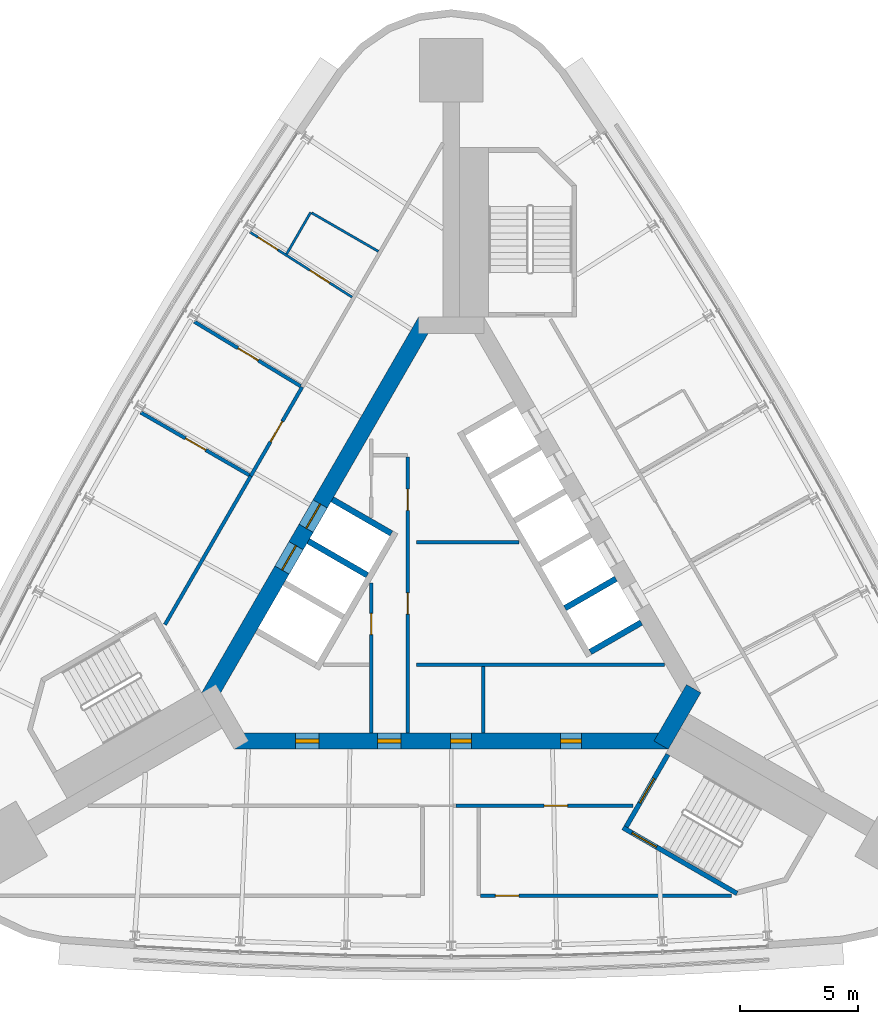
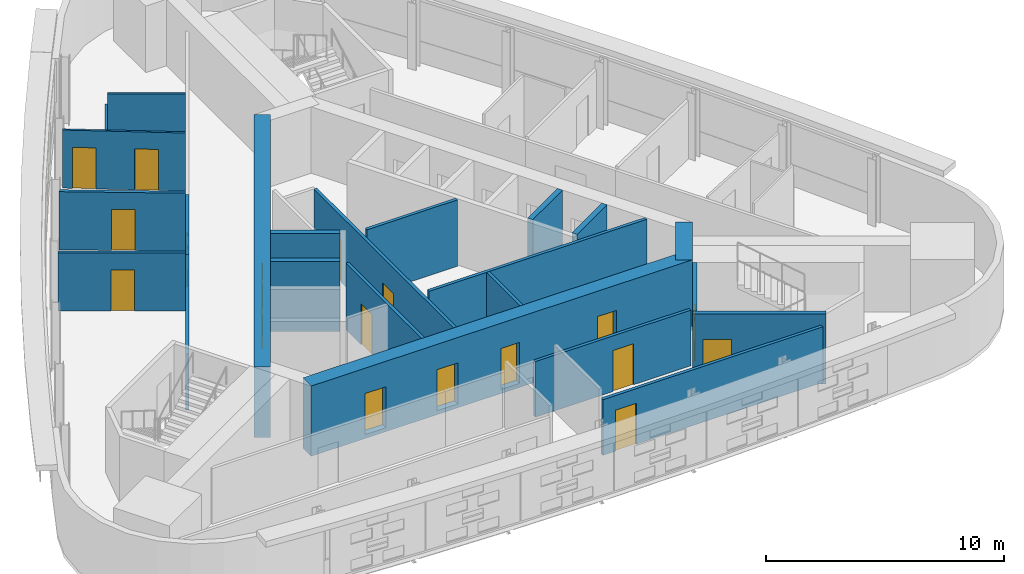
# One storey, part 7 of 10: 23 walls, 18 doors, 18 openings.
"""IFC4 building model written with IfcOpenShell, lengths in metres."""

from ifc_helpers import new_model, si_unit, direction, frame, frame_2d, origin, place, context, subcontext, project, spatial, rectangle, extrude, material, layer, layer_set, type_object, element, fill, save


model = new_model("IFC4")

# Units and contexts
model_context = context("Model", 3, precision=1e-05, world=origin(), true_north=direction((0.0, 1.0)))
body_context = subcontext(model_context, "Body", "Model", "MODEL_VIEW")
ifc_project = project(units=[si_unit("LENGTHUNIT", "METRE"), si_unit("AREAUNIT", "SQUARE_METRE"), si_unit("VOLUMEUNIT", "CUBIC_METRE"), si_unit("PLANEANGLEUNIT", "RADIAN"), si_unit("MASSUNIT", "GRAM", prefix="KILO")], contexts=[model_context])

# Site, building, storey
site_placement = place(None, origin())
site = spatial("IfcSite", under=ifc_project, at=site_placement, CompositionType="ELEMENT")
building_placement = place(site_placement, origin())
building = spatial("IfcBuilding", under=site, at=building_placement, Name="Noor Cloister Tower", CompositionType="ELEMENT")
storey_placement = place(building_placement, frame((0.0, 0.0, 199.5)))
storey = spatial("IfcBuildingStorey", under=building, at=storey_placement, Name="L51", CompositionType="ELEMENT", Elevation=199.5)

# Wall, opening, door
ifc_material_1 = material(Name="Concrete C30/37", Category="concrete")
ifc_layer_1 = layer(ifc_material_1, 0.14990234375)
ifc_layer_set_1 = layer_set([ifc_layer_1], Name="Core partition 150 C30/37")
wall_type_1 = type_object("IfcWallType", Name="Core partition 150 C30/37", PredefinedType="PARTITIONING", material=ifc_layer_set_1)
wall_1_placement = place(storey_placement, frame((-3.40380859375, 0.131103515625, 0.0), z_axis=(0.0, 0.0, 1.0), x_axis=(0.0, -1.0, 0.0)))
wall_1 = element("IfcWall", 1, at=wall_1_placement, inside=storey, type_object=wall_type_1, Name="Core room partition L51 2", PredefinedType="PARTITIONING", context=body_context, shape_type="SweptSolid", body=[
    extrude(rectangle(XDim=6.359375, YDim=0.14990234375, at=frame_2d((3.1796875, 0.0))), origin(), (0.0, 0.0, 1.0), 3.39990234375),
])
opening_1_placement = place(wall_1_placement, frame((1.280517578125, 0.0, 0.0)))
opening_1 = element("IfcOpeningElement", 2, at=opening_1_placement, cuts=wall_1, Name="Opening L51-905", PredefinedType="OPENING", context=body_context, shape_type="SweptSolid", body=[
    extrude(rectangle(XDim=0.89990234375, YDim=2.10009765625, at=frame_2d((0.449951171875, 1.050048828125))), frame((0.0, 0.0849609375, 0.0), z_axis=(0.0, -1.0, 0.0), x_axis=(1.0, 0.0, 0.0)), (0.0, 0.0, 1.0), 0.169921875),
])
ifc_material_2 = material(Name="Steel", Category="steel")
door_type_1 = type_object("IfcDoorType", Name="Core door 900 x 2100 FD120", OperationType="SINGLE_SWING_LEFT", PredefinedType="DOOR", material=ifc_material_2)
door_1_placement = place(opening_1_placement, origin())
door_1 = element("IfcDoor", 3, at=door_1_placement, inside=storey, type_object=door_type_1, Name="Core door 5 L51", OperationType="SINGLE_SWING_LEFT", OverallHeight=2.10009765625, OverallWidth=0.89990234375, PredefinedType="DOOR", context=body_context, shape_type="SweptSolid", body=[
    extrude(rectangle(XDim=0.89990234375, YDim=2.10009765625, at=frame_2d((0.449951171875, 1.050048828125))), frame((0.0, 0.02490234375, 0.0), z_axis=(0.0, -1.0, 0.0), x_axis=(1.0, 0.0, 0.0)), (0.0, 0.0, 1.0), 0.050048828125),
])
fill(opening_1, door_1)

# Wall, openings, doors
wall_2_placement = place(storey_placement, frame((-1.853759765625, 5.496826171875, 0.0), z_axis=(0.0, 0.0, 1.0), x_axis=(0.0, -1.0, 0.0)))
wall_2 = element("IfcWall", 4, at=wall_2_placement, inside=storey, type_object=wall_type_1, Name="Core room partition L51 5", PredefinedType="PARTITIONING", context=body_context, shape_type="SweptSolid", body=[
    extrude(rectangle(XDim=11.72509765625, YDim=0.14990234375, at=frame_2d((5.862548828125, 0.0))), origin(), (0.0, 0.0, 1.0), 3.39990234375),
])
opening_2_placement = place(wall_2_placement, frame((5.77490234375, 0.0, 0.0)))
opening_2 = element("IfcOpeningElement", 5, at=opening_2_placement, cuts=wall_2, Name="Opening L51-906", PredefinedType="OPENING", context=body_context, shape_type="SweptSolid", body=[
    extrude(rectangle(XDim=0.89990234375, YDim=2.10009765625, at=frame_2d((0.449951171875, 1.050048828125))), frame((0.0, 0.0849609375, 0.0), z_axis=(0.0, -1.0, 0.0), x_axis=(1.0, 0.0, 0.0)), (0.0, 0.0, 1.0), 0.169921875),
])
opening_3_placement = place(wall_2_placement, frame((1.363525390625, 0.0, 0.0)))
opening_3 = element("IfcOpeningElement", 6, at=opening_3_placement, cuts=wall_2, Name="Opening L51-908", PredefinedType="OPENING", context=body_context, shape_type="SweptSolid", body=[
    extrude(rectangle(XDim=0.89990234375, YDim=2.10009765625, at=frame_2d((0.449951171875, 1.050048828125))), frame((0.0, 0.0849609375, 0.0), z_axis=(0.0, -1.0, 0.0), x_axis=(1.0, 0.0, 0.0)), (0.0, 0.0, 1.0), 0.169921875),
])
door_2_placement = place(opening_3_placement, origin())
door_2 = element("IfcDoor", 7, at=door_2_placement, inside=storey, type_object=door_type_1, Name="Core door 8 L51", OperationType="SINGLE_SWING_RIGHT", OverallHeight=2.10009765625, OverallWidth=0.89990234375, PredefinedType="DOOR", context=body_context, shape_type="SweptSolid", body=[
    extrude(rectangle(XDim=0.89990234375, YDim=2.10009765625, at=frame_2d((0.449951171875, 1.050048828125))), frame((0.0, 0.02490234375, 0.0), z_axis=(0.0, -1.0, 0.0), x_axis=(1.0, 0.0, 0.0)), (0.0, 0.0, 1.0), 0.050048828125),
])
fill(opening_3, door_2)
ifc_material_3 = material(Name="Steel", Category="steel")
door_type_2 = type_object("IfcDoorType", Name="Core door 900 x 2100 FD60", OperationType="SINGLE_SWING_LEFT", PredefinedType="DOOR", material=ifc_material_3)
door_3_placement = place(opening_2_placement, origin())
door_3 = element("IfcDoor", 8, at=door_3_placement, inside=storey, type_object=door_type_2, Name="Core door 6 L51", OperationType="SINGLE_SWING_RIGHT", OverallHeight=2.10009765625, OverallWidth=0.89990234375, PredefinedType="DOOR", context=body_context, shape_type="SweptSolid", body=[
    extrude(rectangle(XDim=0.89990234375, YDim=2.10009765625, at=frame_2d((0.449951171875, 1.050048828125))), frame((0.0, 0.02490234375, 0.0), z_axis=(0.0, -1.0, 0.0), x_axis=(1.0, 0.0, 0.0)), (0.0, 0.0, 1.0), 0.050048828125),
])
fill(opening_2, door_3)

# Walls
wall_3_placement = place(storey_placement, frame((-1.478759765625, -3.328125, 0.0), z_axis=(0.0, 0.0, 1.0), x_axis=(1.0, 0.0, 0.0)))
element("IfcWall", 9, at=wall_3_placement, inside=storey, type_object=wall_type_1, Name="Core room partition L51 6", PredefinedType="PARTITIONING", context=body_context, shape_type="SweptSolid", body=[
    extrude(rectangle(XDim=10.546875, YDim=0.14990234375, at=frame_2d((5.2734375, 0.0))), origin(), (0.0, 0.0, 1.0), 3.39990234375),
])
wall_4_placement = place(storey_placement, frame((-1.478759765625, 1.871826171875, 0.0), z_axis=(0.0, 0.0, 1.0), x_axis=(1.0, 0.0, 0.0)))
element("IfcWall", 10, at=wall_4_placement, inside=storey, type_object=wall_type_1, Name="Core room partition L51 7", PredefinedType="PARTITIONING", context=body_context, shape_type="SweptSolid", body=[
    extrude(rectangle(XDim=4.369384765625, YDim=0.14990234375, at=frame_2d((2.1845703125, 0.0))), origin(), (0.0, 0.0, 1.0), 3.39990234375),
])
wall_5_placement = place(storey_placement, frame((1.371337890625, -3.4033203125, 0.0), z_axis=(0.0, 0.0, 1.0), x_axis=(0.0, -1.0, 0.0)))
element("IfcWall", 11, at=wall_5_placement, inside=storey, type_object=wall_type_1, Name="Core room partition L51 8", PredefinedType="PARTITIONING", context=body_context, shape_type="SweptSolid", body=[
    extrude(rectangle(XDim=2.824951171875, YDim=0.14990234375, at=frame_2d((1.41259765625, 0.0))), origin(), (0.0, 0.0, 1.0), 3.39990234375),
])

# Wall, openings, doors
ifc_material_4 = material(Name="Concrete C70/85", Category="concrete")
ifc_layer_2 = layer(ifc_material_4, 0.699951171875)
ifc_layer_set_2 = layer_set([ifc_layer_2], Name="Core wall 700 C70/85")
wall_type_2 = type_object("IfcWallType", Name="Core wall 700 C70/85", PredefinedType="SHEAR", material=ifc_layer_set_2)
wall_6_placement = place(storey_placement, frame((-9.228759765625, -6.578125, -0.199951171875), z_axis=(0.0, 0.0, 1.0), x_axis=(1.0, 0.0, 0.0)))
wall_6 = element("IfcWall", 12, at=wall_6_placement, inside=storey, type_object=wall_type_2, Name="Core wall L51 1", PredefinedType="SHEAR", context=body_context, shape_type="SweptSolid", body=[
    extrude(rectangle(XDim=18.45751953125, YDim=0.699951171875, at=frame_2d((9.228759765625, 0.0))), origin(), (0.0, 0.0, 1.0), 3.599853515625),
])
opening_4_placement = place(wall_6_placement, frame((6.10009765625, 0.0, 0.199951171875)))
opening_4 = element("IfcOpeningElement", 13, at=opening_4_placement, cuts=wall_6, Name="Opening L51-901", PredefinedType="OPENING", context=body_context, shape_type="SweptSolid", body=[
    extrude(rectangle(XDim=1.0, YDim=2.10009765625, at=frame_2d((0.5, 1.050048828125))), frame((0.0, 0.35986328125, 0.0), z_axis=(0.0, -1.0, 0.0), x_axis=(1.0, 0.0, 0.0)), (0.0, 0.0, 1.0), 0.719970703125),
])
opening_5_placement = place(wall_6_placement, frame((2.614501953125, 0.0, 0.199951171875)))
opening_5 = element("IfcOpeningElement", 14, at=opening_5_placement, cuts=wall_6, Name="Opening L51-902", PredefinedType="OPENING", context=body_context, shape_type="SweptSolid", body=[
    extrude(rectangle(XDim=1.0, YDim=2.10009765625, at=frame_2d((0.5, 1.050048828125))), frame((0.0, 0.35986328125, 0.0), z_axis=(0.0, -1.0, 0.0), x_axis=(1.0, 0.0, 0.0)), (0.0, 0.0, 1.0), 0.719970703125),
])
opening_6_placement = place(wall_6_placement, frame((9.197509765625, 0.0, 0.199951171875)))
opening_6 = element("IfcOpeningElement", 15, at=opening_6_placement, cuts=wall_6, Name="Opening L51-903", PredefinedType="OPENING", context=body_context, shape_type="SweptSolid", body=[
    extrude(rectangle(XDim=0.89990234375, YDim=2.10009765625, at=frame_2d((0.449951171875, 1.050048828125))), frame((0.0, 0.35986328125, 0.0), z_axis=(0.0, -1.0, 0.0), x_axis=(1.0, 0.0, 0.0)), (0.0, 0.0, 1.0), 0.719970703125),
])
opening_7_placement = place(wall_6_placement, frame((13.876708984375, 0.0, 0.199951171875)))
opening_7 = element("IfcOpeningElement", 16, at=opening_7_placement, cuts=wall_6, Name="Opening L51-904", PredefinedType="OPENING", context=body_context, shape_type="SweptSolid", body=[
    extrude(rectangle(XDim=0.89990234375, YDim=2.10009765625, at=frame_2d((0.449951171875, 1.050048828125))), frame((0.0, 0.35986328125, 0.0), z_axis=(0.0, -1.0, 0.0), x_axis=(1.0, 0.0, 0.0)), (0.0, 0.0, 1.0), 0.719970703125),
])
ifc_material_5 = material(Name="Steel", Category="steel")
door_type_3 = type_object("IfcDoorType", Name="Core door 1000 x 2100 FD120", OperationType="SINGLE_SWING_LEFT", PredefinedType="DOOR", material=ifc_material_5)
door_4_placement = place(opening_4_placement, origin())
door_4 = element("IfcDoor", 17, at=door_4_placement, inside=storey, type_object=door_type_3, Name="Core door 1 L51", OperationType="SINGLE_SWING_LEFT", OverallHeight=2.10009765625, OverallWidth=1.0, PredefinedType="DOOR", context=body_context, shape_type="SweptSolid", body=[
    extrude(rectangle(XDim=1.0, YDim=2.10009765625, at=frame_2d((0.5, 1.050048828125))), frame((0.0, 0.074951171875, 0.0), z_axis=(0.0, -1.0, 0.0), x_axis=(1.0, 0.0, 0.0)), (0.0, 0.0, 1.0), 0.14990234375),
])
fill(opening_4, door_4)
ifc_material_6 = material(Name="Steel", Category="steel")
door_type_4 = type_object("IfcDoorType", Name="Core door 1000 x 2100 FD60", OperationType="SINGLE_SWING_LEFT", PredefinedType="DOOR", material=ifc_material_6)
door_5_placement = place(opening_5_placement, origin())
door_5 = element("IfcDoor", 18, at=door_5_placement, inside=storey, type_object=door_type_4, Name="Core door 2 L51", OperationType="SINGLE_SWING_RIGHT", OverallHeight=2.10009765625, OverallWidth=1.0, PredefinedType="DOOR", context=body_context, shape_type="SweptSolid", body=[
    extrude(rectangle(XDim=1.0, YDim=2.10009765625, at=frame_2d((0.5, 1.050048828125))), frame((0.0, 0.074951171875, 0.0), z_axis=(0.0, -1.0, 0.0), x_axis=(1.0, 0.0, 0.0)), (0.0, 0.0, 1.0), 0.14990234375),
])
fill(opening_5, door_5)
door_6_placement = place(opening_7_placement, origin())
door_6 = element("IfcDoor", 19, at=door_6_placement, inside=storey, type_object=door_type_1, Name="Core door 4 L51", OperationType="SINGLE_SWING_RIGHT", OverallHeight=2.10009765625, OverallWidth=0.89990234375, PredefinedType="DOOR", context=body_context, shape_type="SweptSolid", body=[
    extrude(rectangle(XDim=0.89990234375, YDim=2.10009765625, at=frame_2d((0.449951171875, 1.050048828125))), frame((0.0, 0.074951171875, 0.0), z_axis=(0.0, -1.0, 0.0), x_axis=(1.0, 0.0, 0.0)), (0.0, 0.0, 1.0), 0.14990234375),
])
fill(opening_7, door_6)
door_7_placement = place(opening_6_placement, origin())
door_7 = element("IfcDoor", 20, at=door_7_placement, inside=storey, type_object=door_type_2, Name="Core door 3 L51", OperationType="SINGLE_SWING_LEFT", OverallHeight=2.10009765625, OverallWidth=0.89990234375, PredefinedType="DOOR", context=body_context, shape_type="SweptSolid", body=[
    extrude(rectangle(XDim=0.89990234375, YDim=2.10009765625, at=frame_2d((0.449951171875, 1.050048828125))), frame((0.0, 0.074951171875, 0.0), z_axis=(0.0, -1.0, 0.0), x_axis=(1.0, 0.0, 0.0)), (0.0, 0.0, 1.0), 0.14990234375),
])
fill(opening_6, door_7)

# Wall
wall_7_placement = place(storey_placement, frame((8.925537109375, -6.753173828125, -0.199951171875), z_axis=(0.0, 0.0, 1.0), x_axis=(0.500042739161, 0.866000726912, 0.0)))
element("IfcWall", 21, at=wall_7_placement, inside=storey, type_object=wall_type_2, Name="Core wall L51 2", PredefinedType="SHEAR", context=body_context, shape_type="SweptSolid", body=[
    extrude(rectangle(XDim=2.771240234375, YDim=0.699951171875, at=frame_2d((1.3857421875, 0.0))), origin(), (0.0, 0.0, 1.0), 3.599853515625),
])

# Wall, openings, doors
wall_8_placement = place(storey_placement, frame((-1.08251953125, 11.281494140625, -0.199951171875), z_axis=(0.0, 0.0, 1.0), x_axis=(-0.500001446645, -0.866024568562, 0.0)))
wall_8 = element("IfcWall", 22, at=wall_8_placement, inside=storey, type_object=wall_type_2, Name="Core wall L51 5", PredefinedType="SHEAR", context=body_context, shape_type="SweptSolid", body=[
    extrude(rectangle(XDim=18.45751953125, YDim=0.699951171875, at=frame_2d((9.228759765625, 0.0))), origin(), (0.0, 0.0, 1.0), 3.599853515625),
])
opening_8_placement = place(wall_8_placement, frame((8.978759765625, 0.0, 0.199951171875)))
opening_8 = element("IfcOpeningElement", 23, at=opening_8_placement, cuts=wall_8, Name="Opening L51-FF1", PredefinedType="OPENING", context=body_context, shape_type="SweptSolid", body=[
    extrude(rectangle(XDim=1.199951171875, YDim=2.10009765625, at=frame_2d((0.60009765625, 1.050048828125))), frame((0.0, 0.35986328125, 0.0), z_axis=(0.0, -1.0, 0.0), x_axis=(1.0, 0.0, 0.0)), (0.0, 0.0, 1.0), 0.719970703125),
])
opening_9_placement = place(wall_8_placement, frame((11.02880859375, 0.0, 0.199951171875)))
opening_9 = element("IfcOpeningElement", 24, at=opening_9_placement, cuts=wall_8, Name="Opening L51-FF2", PredefinedType="OPENING", context=body_context, shape_type="SweptSolid", body=[
    extrude(rectangle(XDim=1.199951171875, YDim=2.10009765625, at=frame_2d((0.60009765625, 1.050048828125))), frame((0.0, 0.35986328125, 0.0), z_axis=(0.0, -1.0, 0.0), x_axis=(1.0, 0.0, 0.0)), (0.0, 0.0, 1.0), 0.719970703125),
])
ifc_material_7 = material(Name="Stainless steel", Category="steel")
door_type_5 = type_object("IfcDoorType", Name="Lift landing door 1200 x 2100", OperationType="DOUBLE_DOOR_SLIDING", PredefinedType="DOOR", material=ifc_material_7)
door_8_placement = place(opening_8_placement, origin())
door_8 = element("IfcDoor", 25, at=door_8_placement, inside=storey, type_object=door_type_5, Name="Landing door FF1 L51", OperationType="DOUBLE_DOOR_SLIDING", OverallHeight=2.10009765625, OverallWidth=1.199951171875, PredefinedType="DOOR", context=body_context, shape_type="SweptSolid", body=[
    extrude(rectangle(XDim=1.199951171875, YDim=2.10009765625, at=frame_2d((0.60009765625, 1.050048828125))), frame((0.0, 0.02490234375, 0.0), z_axis=(0.0, -1.0, 0.0), x_axis=(1.0, 0.0, 0.0)), (0.0, 0.0, 1.0), 0.050048828125),
])
fill(opening_8, door_8)
door_9_placement = place(opening_9_placement, origin())
door_9 = element("IfcDoor", 26, at=door_9_placement, inside=storey, type_object=door_type_5, Name="Landing door FF2 L51", OperationType="DOUBLE_DOOR_SLIDING", OverallHeight=2.10009765625, OverallWidth=1.199951171875, PredefinedType="DOOR", context=body_context, shape_type="SweptSolid", body=[
    extrude(rectangle(XDim=1.199951171875, YDim=2.10009765625, at=frame_2d((0.60009765625, 1.050048828125))), frame((0.0, 0.02490234375, 0.0), z_axis=(0.0, -1.0, 0.0), x_axis=(1.0, 0.0, 0.0)), (0.0, 0.0, 1.0), 0.050048828125),
])
fill(opening_9, door_9)

# Wall
ifc_material_8 = material(Name="Fire-rated gypsum board partition on steel studs, 150 mm", Category="steel")
ifc_layer_3 = layer(ifc_material_8, 0.14990234375)
ifc_layer_set_3 = layer_set([ifc_layer_3], Name="Fire lobby wall 150")
wall_type_3 = type_object("IfcWallType", Name="Fire lobby wall 150", PredefinedType="PARTITIONING", material=ifc_layer_set_3)
wall_9_placement = place(storey_placement, frame((-8.52490234375, 4.69091796875, 0.0), z_axis=(0.0, 0.0, 1.0), x_axis=(-0.499986021771, -0.866033473968, 0.0)))
element("IfcWall", 27, at=wall_9_placement, inside=storey, type_object=wall_type_3, Name="Wall L51-W19", PredefinedType="PARTITIONING", context=body_context, shape_type="SweptSolid", body=[
    extrude(rectangle(XDim=7.296630859375, YDim=0.14990234375, at=frame_2d((3.6484375, 0.0))), origin(), (0.0, 0.0, 1.0), 2.85205078125),
])

# Wall, opening, door
wall_10_placement = place(storey_placement, frame((-6.3408203125, 8.473876953125, 0.0), z_axis=(0.0, 0.0, 1.0), x_axis=(-0.49999822179, -0.866026430432, 0.0)))
wall_10 = element("IfcWall", 28, at=wall_10_placement, inside=storey, type_object=wall_type_3, Name="Wall L51-W22", PredefinedType="PARTITIONING", context=body_context, shape_type="SweptSolid", body=[
    extrude(rectangle(XDim=4.3681640625, YDim=0.14990234375, at=frame_2d((2.18408203125, 0.0))), origin(), (0.0, 0.0, 1.0), 2.85205078125),
])
opening_10_placement = place(wall_10_placement, frame((1.68408203125, 0.0, 0.0)))
opening_10 = element("IfcOpeningElement", 29, at=opening_10_placement, cuts=wall_10, Name="Opening L51-012", PredefinedType="OPENING", context=body_context, shape_type="SweptSolid", body=[
    extrude(rectangle(XDim=1.0, YDim=2.10009765625, at=frame_2d((0.5, 1.050048828125))), frame((0.0, 0.0849609375, 0.0), z_axis=(0.0, -1.0, 0.0), x_axis=(1.0, 0.0, 0.0)), (0.0, 0.0, 1.0), 0.169921875),
])
ifc_material_9 = material(Name="Timber door leaf with steel frame", Category="steel")
door_type_6 = type_object("IfcDoorType", Name="Fire lobby door 1000", OperationType="NOTDEFINED", PredefinedType="DOOR", material=ifc_material_9)
door_10_placement = place(opening_10_placement, origin())
door_10 = element("IfcDoor", 30, at=door_10_placement, inside=storey, type_object=door_type_6, Name="Door L51-012", OperationType="SINGLE_SWING_RIGHT", OverallHeight=2.10009765625, OverallWidth=1.0, PredefinedType="DOOR", context=body_context, shape_type="SweptSolid", body=[
    extrude(rectangle(XDim=1.0, YDim=2.10009765625, at=frame_2d((0.5, 1.050048828125))), frame((0.0, 0.02490234375, 0.0), z_axis=(0.0, -1.0, 0.0), x_axis=(1.0, 0.0, 0.0)), (0.0, 0.0, 1.0), 0.050048828125),
])
fill(opening_10, door_10)

ifc_material_10 = material(Name="Gypsum board partition on steel studs, 150 mm", Category="steel")
ifc_layer_4 = layer(ifc_material_10, 0.14990234375)
ifc_layer_set_4 = layer_set([ifc_layer_4], Name="Flat wall 150")
wall_type_4 = type_object("IfcWallType", Name="Flat wall 150", PredefinedType="PARTITIONING", material=ifc_layer_set_4)
wall_11_placement = place(storey_placement, frame((0.199951171875, -9.328125, 0.0), z_axis=(0.0, 0.0, 1.0), x_axis=(1.0, 0.0, 0.0)))
wall_11 = element("IfcWall", 31, at=wall_11_placement, inside=storey, type_object=wall_type_4, Name="Wall L51-W12", PredefinedType="PARTITIONING", context=body_context, shape_type="SweptSolid", body=[
    extrude(rectangle(XDim=7.527587890625, YDim=0.14990234375, at=frame_2d((3.763671875, 0.0))), origin(), (0.0, 0.0, 1.0), 2.85205078125),
])
opening_11_placement = place(wall_11_placement, frame((3.753173828125, 0.0, 0.0)))
opening_11 = element("IfcOpeningElement", 32, at=opening_11_placement, cuts=wall_11, Name="Opening L51-011", PredefinedType="OPENING", context=body_context, shape_type="SweptSolid", body=[
    extrude(rectangle(XDim=1.0, YDim=2.10009765625, at=frame_2d((0.5, 1.050048828125))), frame((0.0, 0.0849609375, 0.0), z_axis=(0.0, -1.0, 0.0), x_axis=(1.0, 0.0, 0.0)), (0.0, 0.0, 1.0), 0.169921875),
])
ifc_material_11 = material(Name="Timber door leaf with steel frame", Category="steel")
door_type_7 = type_object("IfcDoorType", Name="Interior door 1000 FD60", OperationType="NOTDEFINED", PredefinedType="DOOR", material=ifc_material_11)
door_11_placement = place(opening_11_placement, origin())
door_11 = element("IfcDoor", 33, at=door_11_placement, inside=storey, type_object=door_type_7, Name="Door L51-011", OperationType="SINGLE_SWING_LEFT", OverallHeight=2.10009765625, OverallWidth=1.0, PredefinedType="DOOR", context=body_context, shape_type="SweptSolid", body=[
    extrude(rectangle(XDim=1.0, YDim=2.10009765625, at=frame_2d((0.5, 1.050048828125))), frame((0.0, 0.02490234375, 0.0), z_axis=(0.0, -1.0, 0.0), x_axis=(1.0, 0.0, 0.0)), (0.0, 0.0, 1.0), 0.050048828125),
])
fill(opening_11, door_11)

wall_12_placement = place(storey_placement, frame((1.253662109375, -13.156005859375, 0.0), z_axis=(0.0, 0.0, 1.0), x_axis=(1.0, 0.0, 0.0)))
wall_12 = element("IfcWall", 34, at=wall_12_placement, inside=storey, type_object=wall_type_4, Name="Wall L51-W17", PredefinedType="PARTITIONING", context=body_context, shape_type="SweptSolid", body=[
    extrude(rectangle(XDim=10.662109375, YDim=0.14990234375, at=frame_2d((5.3310546875, 0.0))), origin(), (0.0, 0.0, 1.0), 2.85205078125),
])
opening_12_placement = place(wall_12_placement, frame((0.625, 0.0, 0.0)))
opening_12 = element("IfcOpeningElement", 35, at=opening_12_placement, cuts=wall_12, Name="Opening L51-010", PredefinedType="OPENING", context=body_context, shape_type="SweptSolid", body=[
    extrude(rectangle(XDim=1.0, YDim=2.10009765625, at=frame_2d((0.5, 1.050048828125))), frame((0.0, 0.0849609375, 0.0), z_axis=(0.0, -1.0, 0.0), x_axis=(1.0, 0.0, 0.0)), (0.0, 0.0, 1.0), 0.169921875),
])
door_12_placement = place(opening_12_placement, origin())
door_12 = element("IfcDoor", 36, at=door_12_placement, inside=storey, type_object=door_type_7, Name="Door L51-010", OperationType="SINGLE_SWING_RIGHT", OverallHeight=2.10009765625, OverallWidth=1.0, PredefinedType="DOOR", context=body_context, shape_type="SweptSolid", body=[
    extrude(rectangle(XDim=1.0, YDim=2.10009765625, at=frame_2d((0.5, 1.050048828125))), frame((0.0, 0.02490234375, 0.0), z_axis=(0.0, -1.0, 0.0), x_axis=(1.0, 0.0, 0.0)), (0.0, 0.0, 1.0), 0.050048828125),
])
fill(opening_12, door_12)

wall_13_placement = place(storey_placement, frame((-10.93115234375, 11.25830078125, 0.0), z_axis=(0.0, 0.0, 1.0), x_axis=(0.855021240233, -0.51859297985, 0.0)))
wall_13 = element("IfcWall", 37, at=wall_13_placement, inside=storey, type_object=wall_type_4, Name="Wall L51-W20", PredefinedType="PARTITIONING", context=body_context, shape_type="SweptSolid", body=[
    extrude(rectangle(XDim=5.2939453125, YDim=0.14990234375, at=frame_2d((2.64697265625, 0.0))), origin(), (0.0, 0.0, 1.0), 2.97412109375),
])
opening_13_placement = place(wall_13_placement, frame((2.184326171875, 0.0, 0.0)))
opening_13 = element("IfcOpeningElement", 38, at=opening_13_placement, cuts=wall_13, Name="Opening L51-015", PredefinedType="OPENING", context=body_context, shape_type="SweptSolid", body=[
    extrude(rectangle(XDim=1.0, YDim=2.10009765625, at=frame_2d((0.5, 1.050048828125))), frame((0.0, 0.0849609375, 0.0), z_axis=(0.0, -1.0, 0.0), x_axis=(1.0, 0.0, 0.0)), (0.0, 0.0, 1.0), 0.169921875),
])
ifc_material_12 = material(Name="Timber door leaf with steel frame", Category="steel")
door_type_8 = type_object("IfcDoorType", Name="Flat entrance door 1000", OperationType="NOTDEFINED", PredefinedType="DOOR", material=ifc_material_12)
door_13_placement = place(opening_13_placement, origin())
door_13 = element("IfcDoor", 39, at=door_13_placement, inside=storey, type_object=door_type_8, Name="Door L51-015", OperationType="SINGLE_SWING_LEFT", OverallHeight=2.10009765625, OverallWidth=1.0, PredefinedType="DOOR", context=body_context, shape_type="SweptSolid", body=[
    extrude(rectangle(XDim=1.0, YDim=2.10009765625, at=frame_2d((0.5, 1.050048828125))), frame((0.0, 0.02490234375, 0.0), z_axis=(0.0, -1.0, 0.0), x_axis=(1.0, 0.0, 0.0)), (0.0, 0.0, 1.0), 0.050048828125),
])
fill(opening_13, door_13)

wall_14_placement = place(storey_placement, frame((-13.211669921875, 7.396728515625, 0.0), z_axis=(0.0, 0.0, 1.0), x_axis=(0.866041606145, -0.499971935638, 0.0)))
wall_14 = element("IfcWall", 40, at=wall_14_placement, inside=storey, type_object=wall_type_4, Name="Wall L51-W21", PredefinedType="PARTITIONING", context=body_context, shape_type="SweptSolid", body=[
    extrude(rectangle(XDim=5.336669921875, YDim=0.14990234375, at=frame_2d((2.66845703125, 0.0))), origin(), (0.0, 0.0, 1.0), 2.97412109375),
])
opening_14_placement = place(wall_14_placement, frame((2.205810546875, 0.0, 0.0)))
opening_14 = element("IfcOpeningElement", 41, at=opening_14_placement, cuts=wall_14, Name="Opening L51-016", PredefinedType="OPENING", context=body_context, shape_type="SweptSolid", body=[
    extrude(rectangle(XDim=1.0, YDim=2.10009765625, at=frame_2d((0.5, 1.050048828125))), frame((0.0, 0.0849609375, 0.0), z_axis=(0.0, -1.0, 0.0), x_axis=(1.0, 0.0, 0.0)), (0.0, 0.0, 1.0), 0.169921875),
])
door_14_placement = place(opening_14_placement, origin())
door_14 = element("IfcDoor", 42, at=door_14_placement, inside=storey, type_object=door_type_7, Name="Door L51-016", OperationType="SINGLE_SWING_RIGHT", OverallHeight=2.10009765625, OverallWidth=1.0, PredefinedType="DOOR", context=body_context, shape_type="SweptSolid", body=[
    extrude(rectangle(XDim=1.0, YDim=2.10009765625, at=frame_2d((0.5, 1.050048828125))), frame((0.0, 0.02490234375, 0.0), z_axis=(0.0, -1.0, 0.0), x_axis=(1.0, 0.0, 0.0)), (0.0, 0.0, 1.0), 0.050048828125),
])
fill(opening_14, door_14)

# Wall, openings, doors
ifc_material_13 = material(Name="Gypsum board partition on steel studs, 100 mm", Category="steel")
ifc_layer_5 = layer(ifc_material_13, 0.10009765625)
ifc_layer_set_5 = layer_set([ifc_layer_5], Name="Partition 100")
wall_type_5 = type_object("IfcWallType", Name="Partition 100", PredefinedType="PARTITIONING", material=ifc_layer_set_5)
wall_15_placement = place(storey_placement, frame((-8.567626953125, 15.06982421875, 0.0), z_axis=(0.0, 0.0, 1.0), x_axis=(0.843577645789, -0.537007221111, 0.0)))
wall_15 = element("IfcWall", 43, at=wall_15_placement, inside=storey, type_object=wall_type_5, Name="Wall L51-W23", PredefinedType="PARTITIONING", context=body_context, shape_type="SweptSolid", body=[
    extrude(rectangle(XDim=5.156494140625, YDim=0.10009765625, at=frame_2d((2.578125, 0.0))), origin(), (0.0, 0.0, 1.0), 2.97412109375),
])
opening_15_placement = place(wall_15_placement, frame((0.4140625, 0.0, 0.0)))
opening_15 = element("IfcOpeningElement", 44, at=opening_15_placement, cuts=wall_15, Name="Opening L51-013", PredefinedType="OPENING", context=body_context, shape_type="SweptSolid", body=[
    extrude(rectangle(XDim=1.0, YDim=2.10009765625, at=frame_2d((0.5, 1.050048828125))), frame((0.0, 0.06005859375, 0.0), z_axis=(0.0, -1.0, 0.0), x_axis=(1.0, 0.0, 0.0)), (0.0, 0.0, 1.0), 0.1201171875),
])
opening_16_placement = place(wall_15_placement, frame((3.02978515625, 0.0, 0.0)))
opening_16 = element("IfcOpeningElement", 45, at=opening_16_placement, cuts=wall_15, Name="Opening L51-014", PredefinedType="OPENING", context=body_context, shape_type="SweptSolid", body=[
    extrude(rectangle(XDim=1.0, YDim=2.10009765625, at=frame_2d((0.5, 1.050048828125))), frame((0.0, 0.06005859375, 0.0), z_axis=(0.0, -1.0, 0.0), x_axis=(1.0, 0.0, 0.0)), (0.0, 0.0, 1.0), 0.1201171875),
])
ifc_material_14 = material(Name="Timber door leaf with steel frame", Category="steel")
door_type_9 = type_object("IfcDoorType", Name="Interior door 1000", OperationType="NOTDEFINED", PredefinedType="DOOR", material=ifc_material_14)
door_15_placement = place(opening_15_placement, origin())
door_15 = element("IfcDoor", 46, at=door_15_placement, inside=storey, type_object=door_type_9, Name="Door L51-013", OperationType="SINGLE_SWING_LEFT", OverallHeight=2.10009765625, OverallWidth=1.0, PredefinedType="DOOR", context=body_context, shape_type="SweptSolid", body=[
    extrude(rectangle(XDim=1.0, YDim=2.10009765625, at=frame_2d((0.5, 1.050048828125))), frame((0.0, 0.02490234375, 0.0), z_axis=(0.0, -1.0, 0.0), x_axis=(1.0, 0.0, 0.0)), (0.0, 0.0, 1.0), 0.050048828125),
])
fill(opening_15, door_15)
door_16_placement = place(opening_16_placement, origin())
door_16 = element("IfcDoor", 47, at=door_16_placement, inside=storey, type_object=door_type_9, Name="Door L51-014", OperationType="SINGLE_SWING_RIGHT", OverallHeight=2.10009765625, OverallWidth=1.0, PredefinedType="DOOR", context=body_context, shape_type="SweptSolid", body=[
    extrude(rectangle(XDim=1.0, YDim=2.10009765625, at=frame_2d((0.5, 1.050048828125))), frame((0.0, 0.02490234375, 0.0), z_axis=(0.0, -1.0, 0.0), x_axis=(1.0, 0.0, 0.0)), (0.0, 0.0, 1.0), 0.050048828125),
])
fill(opening_16, door_16)

# Walls
wall_16_placement = place(storey_placement, frame((-7.00048828125, 14.13134765625, 0.0), z_axis=(0.0, 0.0, 1.0), x_axis=(0.500045446624, 0.865999163574, 0.0)))
element("IfcWall", 48, at=wall_16_placement, inside=storey, type_object=wall_type_5, Name="Wall L51-W24", PredefinedType="PARTITIONING", context=body_context, shape_type="SweptSolid", body=[
    extrude(rectangle(XDim=2.050048828125, YDim=0.10009765625, at=frame_2d((1.02490234375, 0.0))), origin(), (0.0, 0.0, 1.0), 2.85205078125),
])
wall_17_placement = place(storey_placement, frame((-5.93212890625, 15.881591796875, 0.0), z_axis=(0.0, 0.0, 1.0), x_axis=(0.866027924134, -0.499995634601, 0.0)))
element("IfcWall", 49, at=wall_17_placement, inside=storey, type_object=wall_type_5, Name="Wall L51-W25", PredefinedType="PARTITIONING", context=body_context, shape_type="SweptSolid", body=[
    extrude(rectangle(XDim=3.27490234375, YDim=0.10009765625, at=frame_2d((1.637451171875, 0.0))), origin(), (0.0, 0.0, 1.0), 3.39990234375),
])
ifc_material_15 = material(Name="Concrete C70/85", Category="concrete")
ifc_layer_6 = layer(ifc_material_15, 0.25)
ifc_layer_set_6 = layer_set([ifc_layer_6], Name="Shaft wall 250 C70/85")
wall_type_6 = type_object("IfcWallType", Name="Shaft wall 250 C70/85", PredefinedType="PARTITIONING", material=ifc_layer_set_6)
for number, where, z_axis, x_axis, name in (
    (50, (8.081298828125, -1.540771484375, -0.199951171875), (0.0, 0.0, 1.0), (-0.866022959057, -0.500004234368, 0.0), "Lift shaft wall L51 NE 1"),
    (51, (7.00634765625, 0.3212890625, -0.199951171875), (0.0, 0.0, 1.0), (-0.866022959057, -0.500004234368, 0.0), "Lift shaft wall L51 NE 2"),
):
    element("IfcWall", number, at=place(storey_placement, frame(where, z_axis=z_axis, x_axis=x_axis)), inside=storey, type_object=wall_type_6, Name=name, PredefinedType="PARTITIONING", context=body_context, shape_type="SweptSolid", body=[
        extrude(rectangle(XDim=2.5, YDim=0.25, at=frame_2d((1.25, 0.0))), origin(), (0.0, 0.0, 1.0), 3.599853515625),
    ])
for number, where, z_axis, x_axis, name in (
    (52, (-5.056396484375, 3.69873046875, -0.199951171875), (0.0, 0.0, 1.0), (0.866032775405, -0.499987231761, 0.0), "Lift shaft wall L51 NW 3"),
    (53, (-6.081298828125, 1.92333984375, -0.199951171875), (0.0, 0.0, 1.0), (0.866032775405, -0.499987231761, 0.0), "Lift shaft wall L51 NW 4"),
):
    element("IfcWall", number, at=place(storey_placement, frame(where, z_axis=z_axis, x_axis=x_axis)), inside=storey, type_object=wall_type_6, Name=name, PredefinedType="PARTITIONING", context=body_context, shape_type="SweptSolid", body=[
        extrude(rectangle(XDim=2.89990234375, YDim=0.25, at=frame_2d((1.449951171875, 0.0))), origin(), (0.0, 0.0, 1.0), 3.599853515625),
    ])

# Wall, opening, door
ifc_material_16 = material(Name="Concrete C70/85", Category="concrete")
ifc_layer_7 = layer(ifc_material_16, 0.199951171875)
ifc_layer_set_7 = layer_set([ifc_layer_7], Name="Stair enclosure wall 200 C70/85")
wall_type_7 = type_object("IfcWallType", Name="Stair enclosure wall 200 C70/85", PredefinedType="SHEAR", material=ifc_layer_set_7)
wall_18_placement = place(storey_placement, frame((7.440185546875, -10.225830078125, -0.199951171875), z_axis=(0.0, 0.0, 1.0), x_axis=(0.500022077904, 0.866012656725, 0.0)))
wall_18 = element("IfcWall", 54, at=wall_18_placement, inside=storey, type_object=wall_type_7, Name="Stair enclosure wall ST3 L51 near end", PredefinedType="SHEAR", context=body_context, shape_type="SweptSolid", body=[
    extrude(rectangle(XDim=3.550048828125, YDim=0.199951171875, at=frame_2d((1.77490234375, 0.0))), origin(), (0.0, 0.0, 1.0), 3.599853515625),
])
opening_17_placement = place(wall_18_placement, frame((1.175048828125, 0.0, 0.199951171875)))
opening_17 = element("IfcOpeningElement", 55, at=opening_17_placement, cuts=wall_18, Name="Opening L51-ST3L", PredefinedType="OPENING", context=body_context, shape_type="SweptSolid", body=[
    extrude(rectangle(XDim=1.199951171875, YDim=2.10009765625, at=frame_2d((0.60009765625, 1.050048828125))), frame((0.0, 0.10986328125, 0.0), z_axis=(0.0, -1.0, 0.0), x_axis=(1.0, 0.0, 0.0)), (0.0, 0.0, 1.0), 0.219970703125),
])
ifc_material_17 = material(Name="Steel", Category="steel")
door_type_10 = type_object("IfcDoorType", Name="Stair door 1200 x 2100 FD120", OperationType="SINGLE_SWING_LEFT", PredefinedType="DOOR", material=ifc_material_17)
door_17_placement = place(opening_17_placement, origin())
door_17 = element("IfcDoor", 56, at=door_17_placement, inside=storey, type_object=door_type_10, Name="Stair door ST3 L51", OperationType="SINGLE_SWING_RIGHT", OverallHeight=2.10009765625, OverallWidth=1.199951171875, PredefinedType="DOOR", context=body_context, shape_type="SweptSolid", body=[
    extrude(rectangle(XDim=1.199951171875, YDim=2.10009765625, at=frame_2d((0.60009765625, 1.050048828125))), frame((0.0, 0.02490234375, 0.0), z_axis=(0.0, -1.0, 0.0), x_axis=(1.0, 0.0, 0.0)), (0.0, 0.0, 1.0), 0.050048828125),
])
fill(opening_17, door_17)

wall_19_placement = place(storey_placement, frame((7.3037109375, -10.262451171875, -0.199951171875), z_axis=(0.0, 0.0, 1.0), x_axis=(0.866026594901, -0.49999793692, 0.0)))
wall_19 = element("IfcWall", 57, at=wall_19_placement, inside=storey, type_object=wall_type_7, Name="Stair enclosure wall ST3 L51 outer side", PredefinedType="SHEAR", context=body_context, shape_type="SweptSolid", body=[
    extrude(rectangle(XDim=5.60009765625, YDim=0.199951171875, at=frame_2d((2.800048828125, 0.0))), origin(), (0.0, 0.0, 1.0), 3.599853515625),
])
opening_18_placement = place(wall_19_placement, frame((0.449951171875, 0.0, 0.199951171875)))
opening_18 = element("IfcOpeningElement", 58, at=opening_18_placement, cuts=wall_19, Name="Opening L51-ST3C", PredefinedType="OPENING", context=body_context, shape_type="SweptSolid", body=[
    extrude(rectangle(XDim=1.199951171875, YDim=2.10009765625, at=frame_2d((0.60009765625, 1.050048828125))), frame((0.0, 0.10986328125, 0.0), z_axis=(0.0, -1.0, 0.0), x_axis=(1.0, 0.0, 0.0)), (0.0, 0.0, 1.0), 0.219970703125),
])
door_18_placement = place(opening_18_placement, origin())
door_18 = element("IfcDoor", 59, at=door_18_placement, inside=storey, type_object=door_type_10, Name="Stair door ST3 L51", OperationType="SINGLE_SWING_LEFT", OverallHeight=2.10009765625, OverallWidth=1.199951171875, PredefinedType="DOOR", context=body_context, shape_type="SweptSolid", body=[
    extrude(rectangle(XDim=1.199951171875, YDim=2.10009765625, at=frame_2d((0.60009765625, 1.050048828125))), frame((0.0, 0.02490234375, 0.0), z_axis=(0.0, -1.0, 0.0), x_axis=(1.0, 0.0, 0.0)), (0.0, 0.0, 1.0), 0.050048828125),
])
fill(opening_18, door_18)

save(model, "model.ifc")
